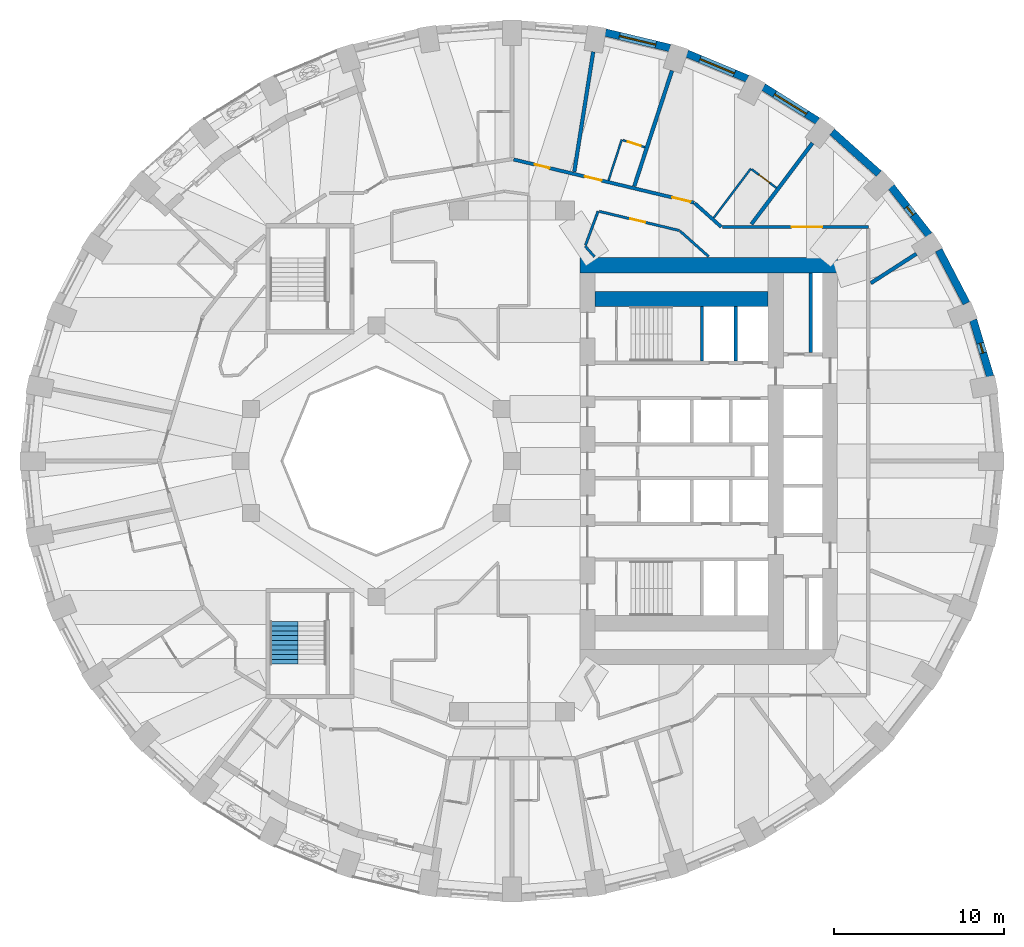
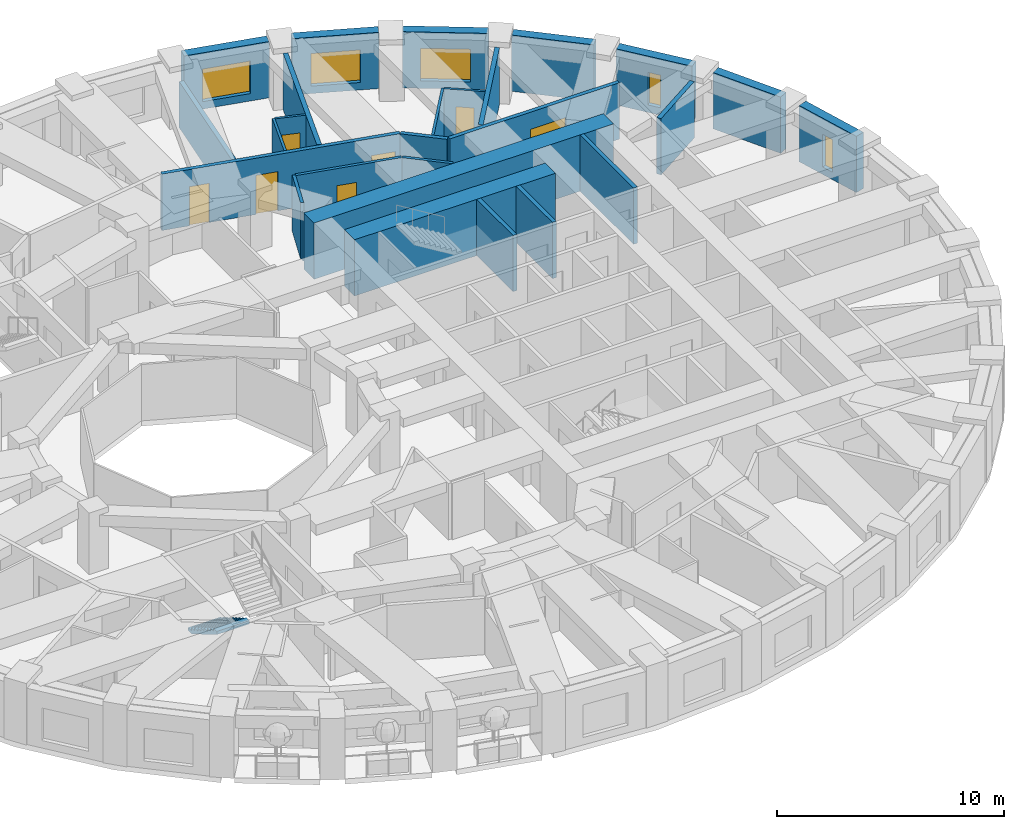
# One storey, part 9 of 13: 27 walls, 7 doors, 5 windows, 1 stair flight, 12 openings, 1 element without a shape of its own.
"""IFC4 building model written with IfcOpenShell, lengths in metres."""

from ifc_helpers import new_model, si_unit, direction, frame, frame_2d, origin, place, context, subcontext, project, spatial, polyline, rectangle, outline, extrude, material, layer, layer_set, type_object, element, fill, aggregate, save


model = new_model("IFC4")

# Units and contexts
model_context = context("Model", 3, precision=1e-05, world=origin(), true_north=direction((0.0, 1.0)))
body_context = subcontext(model_context, "Body", "Model", "MODEL_VIEW")
ifc_project = project(units=[si_unit("LENGTHUNIT", "METRE"), si_unit("AREAUNIT", "SQUARE_METRE"), si_unit("VOLUMEUNIT", "CUBIC_METRE"), si_unit("PLANEANGLEUNIT", "RADIAN"), si_unit("MASSUNIT", "GRAM", prefix="KILO")], contexts=[model_context])

# Site, building, storey
site_placement = place(None, origin())
site = spatial("IfcSite", under=ifc_project, at=site_placement, CompositionType="ELEMENT")
building_placement = place(site_placement, origin())
building = spatial("IfcBuilding", under=site, at=building_placement, Name="Taillehof Tower", CompositionType="ELEMENT")
storey_placement = place(building_placement, frame((0.0, 0.0, 41.5)))
storey = spatial("IfcBuildingStorey", under=building, at=storey_placement, Name="L10", CompositionType="ELEMENT", Elevation=41.5)

# Wall, opening, window
ifc_material_1 = material(Name="Brick masonry", Category="masonry")
ifc_layer_1 = layer(ifc_material_1, 0.449951171875)
ifc_layer_set_1 = layer_set([ifc_layer_1], Name="Brick infill wall 450")
wall_type_1 = type_object("IfcWallType", Name="Brick infill wall 450", PredefinedType="SOLIDWALL", material=ifc_layer_set_1)
wall_1_placement = place(storey_placement, frame((28.181884765625, 4.995849609375, 0.0), z_axis=(0.0, 0.0, 1.0), x_axis=(-0.287064133733, 0.957911364963, 0.0)))
wall_1 = element("IfcWall", 1, at=wall_1_placement, inside=storey, type_object=wall_type_1, Name="Brick wall L10 bay 2", PredefinedType="SOLIDWALL", context=body_context, shape_type="SweptSolid", body=[
    extrude(rectangle(XDim=3.473388671875, YDim=0.449951171875, at=frame_2d((1.73681640625, 0.0))), origin(), (0.0, 0.0, 1.0), 3.02001953125),
])
opening_1_placement = place(wall_1_placement, frame((1.436767578125, 0.0, 0.39990234375)))
opening_1 = element("IfcOpeningElement", 2, at=opening_1_placement, cuts=wall_1, Name="Opening W6", PredefinedType="OPENING", context=body_context, shape_type="SweptSolid", body=[
    extrude(rectangle(XDim=0.60009765625, YDim=1.75, at=frame_2d((0.300048828125, 0.875))), frame((0.0, 0.23486328125, 0.0), z_axis=(0.0, -1.0, 0.0), x_axis=(1.0, 0.0, 0.0)), (0.0, 0.0, 1.0), 0.469970703125),
])
ifc_material_2 = material(Name="Aluminium window frame with clear double glazing", Category="aluminium")
window_type_1 = type_object("IfcWindowType", Name="Slot window 600x1750", PartitioningType="SINGLE_PANEL", PredefinedType="WINDOW", material=ifc_material_2)
window_1_placement = place(opening_1_placement, origin())
window_1 = element("IfcWindow", 3, at=window_1_placement, inside=storey, type_object=window_type_1, Name="W6", OverallHeight=1.75, OverallWidth=0.60009765625, PartitioningType="SINGLE_PANEL", PredefinedType="WINDOW", context=body_context, shape_type="SweptSolid", body=[
    extrude(rectangle(XDim=0.60009765625, YDim=1.75, at=frame_2d((0.300048828125, 0.875))), frame((0.0, 0.034912109375, 0.0), z_axis=(0.0, -1.0, 0.0), x_axis=(1.0, 0.0, 0.0)), (0.0, 0.0, 1.0), 0.06005859375),
])
fill(opening_1, window_1)

# Wall
wall_2_placement = place(storey_placement, frame((26.78564453125, 9.30517578125, 0.0), z_axis=(0.0, 0.0, 1.0), x_axis=(-0.462492775226, 0.886623050041, 0.0)))
element("IfcWall", 4, at=wall_2_placement, inside=storey, type_object=wall_type_1, Name="Brick wall L10 bay 3", PredefinedType="SOLIDWALL", context=body_context, shape_type="SweptSolid", body=[
    extrude(rectangle(XDim=3.531982421875, YDim=0.449951171875, at=frame_2d((1.76611328125, 0.0))), origin(), (0.0, 0.0, 1.0), 3.02001953125),
])

# Wall, opening, window
wall_3_placement = place(storey_placement, frame((24.57763671875, 13.327880859375, 0.0), z_axis=(0.0, 0.0, 1.0), x_axis=(-0.616661975264, 0.787228053529, 0.0)))
wall_3 = element("IfcWall", 5, at=wall_3_placement, inside=storey, type_object=wall_type_1, Name="Brick wall L10 bay 4", PredefinedType="SOLIDWALL", context=body_context, shape_type="SweptSolid", body=[
    extrude(rectangle(XDim=3.60986328125, YDim=0.449951171875, at=frame_2d((1.804931640625, 0.0))), origin(), (0.0, 0.0, 1.0), 3.02001953125),
])
opening_2_placement = place(wall_3_placement, frame((1.5048828125, 0.0, 0.39990234375)))
opening_2 = element("IfcOpeningElement", 6, at=opening_2_placement, cuts=wall_3, Name="Opening W6", PredefinedType="OPENING", context=body_context, shape_type="SweptSolid", body=[
    extrude(rectangle(XDim=0.60009765625, YDim=1.75, at=frame_2d((0.300048828125, 0.875))), frame((0.0, 0.23486328125, 0.0), z_axis=(0.0, -1.0, 0.0), x_axis=(1.0, 0.0, 0.0)), (0.0, 0.0, 1.0), 0.469970703125),
])
window_2_placement = place(opening_2_placement, origin())
window_2 = element("IfcWindow", 7, at=window_2_placement, inside=storey, type_object=window_type_1, Name="W6", OverallHeight=1.75, OverallWidth=0.60009765625, PartitioningType="SINGLE_PANEL", PredefinedType="WINDOW", context=body_context, shape_type="SweptSolid", body=[
    extrude(rectangle(XDim=0.60009765625, YDim=1.75, at=frame_2d((0.300048828125, 0.875))), frame((0.0, 0.034912109375, 0.0), z_axis=(0.0, -1.0, 0.0), x_axis=(1.0, 0.0, 0.0)), (0.0, 0.0, 1.0), 0.06005859375),
])
fill(opening_2, window_2)

# Wall
wall_4_placement = place(storey_placement, frame((21.626708984375, 16.943115234375, 0.0), z_axis=(0.0, 0.0, 1.0), x_axis=(-0.745526233716, 0.66647628228, 0.0)))
element("IfcWall", 8, at=wall_4_placement, inside=storey, type_object=wall_type_1, Name="Brick wall L10 bay 5", PredefinedType="SOLIDWALL", context=body_context, shape_type="SweptSolid", body=[
    extrude(rectangle(XDim=3.69677734375, YDim=0.449951171875, at=frame_2d((1.848388671875, 0.0))), origin(), (0.0, 0.0, 1.0), 3.02001953125),
])

# Wall, opening, window
wall_5_placement = place(storey_placement, frame((18.02294921875, 20.043701171875, 0.0), z_axis=(0.0, 0.0, 1.0), x_axis=(-0.847635480093, 0.530579016629, 0.0)))
wall_5 = element("IfcWall", 9, at=wall_5_placement, inside=storey, type_object=wall_type_1, Name="Brick wall L10 bay 6", PredefinedType="SOLIDWALL", context=body_context, shape_type="SweptSolid", body=[
    extrude(rectangle(XDim=3.782470703125, YDim=0.449951171875, at=frame_2d((1.89111328125, 0.0))), origin(), (0.0, 0.0, 1.0), 3.02001953125),
])
opening_3_placement = place(wall_5_placement, frame((0.791259765625, 0.0, 0.39990234375)))
opening_3 = element("IfcOpeningElement", 10, at=opening_3_placement, cuts=wall_5, Name="Opening W1", PredefinedType="OPENING", context=body_context, shape_type="SweptSolid", body=[
    extrude(rectangle(XDim=2.199951171875, YDim=1.75, at=frame_2d((1.10009765625, 0.875))), frame((0.0, 0.23486328125, 0.0), z_axis=(0.0, -1.0, 0.0), x_axis=(1.0, 0.0, 0.0)), (0.0, 0.0, 1.0), 0.469970703125),
])
ifc_material_3 = material(Name="Aluminium window frame with clear double glazing", Category="aluminium")
window_type_2 = type_object("IfcWindowType", Name="Deep-set window 2200x1750", PartitioningType="SINGLE_PANEL", PredefinedType="WINDOW", material=ifc_material_3)
window_3_placement = place(opening_3_placement, origin())
window_3 = element("IfcWindow", 11, at=window_3_placement, inside=storey, type_object=window_type_2, Name="W1", OverallHeight=1.75, OverallWidth=2.199951171875, PartitioningType="SINGLE_PANEL", PredefinedType="WINDOW", context=body_context, shape_type="SweptSolid", body=[
    extrude(rectangle(XDim=2.199951171875, YDim=1.75, at=frame_2d((1.10009765625, 0.875))), frame((0.0, 0.034912109375, 0.0), z_axis=(0.0, -1.0, 0.0), x_axis=(1.0, 0.0, 0.0)), (0.0, 0.0, 1.0), 0.06005859375),
])
fill(opening_3, window_3)

wall_6_placement = place(storey_placement, frame((13.875, 22.537353515625, 0.0), z_axis=(0.0, 0.0, 1.0), x_axis=(-0.923031964282, 0.384723267966, 0.0)))
wall_6 = element("IfcWall", 12, at=wall_6_placement, inside=storey, type_object=wall_type_1, Name="Brick wall L10 bay 7", PredefinedType="SOLIDWALL", context=body_context, shape_type="SweptSolid", body=[
    extrude(rectangle(XDim=3.8564453125, YDim=0.449951171875, at=frame_2d((1.92822265625, 0.0))), origin(), (0.0, 0.0, 1.0), 3.02001953125),
])
opening_4_placement = place(wall_6_placement, frame((0.828125, 0.0, 0.39990234375)))
opening_4 = element("IfcOpeningElement", 13, at=opening_4_placement, cuts=wall_6, Name="Opening W1", PredefinedType="OPENING", context=body_context, shape_type="SweptSolid", body=[
    extrude(rectangle(XDim=2.199951171875, YDim=1.75, at=frame_2d((1.10009765625, 0.875))), frame((0.0, 0.23486328125, 0.0), z_axis=(0.0, -1.0, 0.0), x_axis=(1.0, 0.0, 0.0)), (0.0, 0.0, 1.0), 0.469970703125),
])
window_4_placement = place(opening_4_placement, origin())
window_4 = element("IfcWindow", 14, at=window_4_placement, inside=storey, type_object=window_type_2, Name="W1", OverallHeight=1.75, OverallWidth=2.199951171875, PartitioningType="SINGLE_PANEL", PredefinedType="WINDOW", context=body_context, shape_type="SweptSolid", body=[
    extrude(rectangle(XDim=2.199951171875, YDim=1.75, at=frame_2d((1.10009765625, 0.875))), frame((0.0, 0.034912109375, 0.0), z_axis=(0.0, -1.0, 0.0), x_axis=(1.0, 0.0, 0.0)), (0.0, 0.0, 1.0), 0.06005859375),
])
fill(opening_4, window_4)

wall_7_placement = place(storey_placement, frame((9.3076171875, 24.349609375, 0.0), z_axis=(0.0, 0.0, 1.0), x_axis=(-0.972496561493, 0.232917233979, 0.0)))
wall_7 = element("IfcWall", 15, at=wall_7_placement, inside=storey, type_object=wall_type_1, Name="Brick wall L10 bay 8", PredefinedType="SOLIDWALL", context=body_context, shape_type="SweptSolid", body=[
    extrude(rectangle(XDim=3.910888671875, YDim=0.449951171875, at=frame_2d((1.95556640625, 0.0))), origin(), (0.0, 0.0, 1.0), 3.02001953125),
])
opening_5_placement = place(wall_7_placement, frame((0.855224609375, 0.0, 0.39990234375)))
opening_5 = element("IfcOpeningElement", 16, at=opening_5_placement, cuts=wall_7, Name="Opening W1", PredefinedType="OPENING", context=body_context, shape_type="SweptSolid", body=[
    extrude(rectangle(XDim=2.199951171875, YDim=1.75, at=frame_2d((1.10009765625, 0.875))), frame((0.0, 0.23486328125, 0.0), z_axis=(0.0, -1.0, 0.0), x_axis=(1.0, 0.0, 0.0)), (0.0, 0.0, 1.0), 0.469970703125),
])
window_5_placement = place(opening_5_placement, origin())
window_5 = element("IfcWindow", 17, at=window_5_placement, inside=storey, type_object=window_type_2, Name="W1", OverallHeight=1.75, OverallWidth=2.199951171875, PartitioningType="SINGLE_PANEL", PredefinedType="WINDOW", context=body_context, shape_type="SweptSolid", body=[
    extrude(rectangle(XDim=2.199951171875, YDim=1.75, at=frame_2d((1.10009765625, 0.875))), frame((0.0, 0.034912109375, 0.0), z_axis=(0.0, -1.0, 0.0), x_axis=(1.0, 0.0, 0.0)), (0.0, 0.0, 1.0), 0.06005859375),
])
fill(opening_5, window_5)

# Wall
ifc_material_4 = material(Name="Calcium silicate masonry", Category="masonry")
ifc_layer_2 = layer(ifc_material_4, 0.199951171875)
ifc_layer_set_2 = layer_set([ifc_layer_2], Name="Compartment wall calcium silicate 200")
wall_type_2 = type_object("IfcWallType", Name="Compartment wall calcium silicate 200", PredefinedType="PARTITIONING", material=ifc_layer_set_2)
wall_8_placement = place(storey_placement, frame((17.60009765625, 6.39990234375, 0.0), z_axis=(0.0, 0.0, 1.0), x_axis=(0.0, 1.0, 0.0)))
element("IfcWall", 18, at=wall_8_placement, inside=storey, type_object=wall_type_2, Name="Compartment wall FW", PredefinedType="PARTITIONING", context=body_context, shape_type="SweptSolid", body=[
    extrude(rectangle(XDim=4.7001953125, YDim=0.199951171875, at=frame_2d((2.35009765625, 0.0))), origin(), (0.0, 0.0, 1.0), 3.02001953125),
])

# Wall, openings, doors
ifc_material_5 = material(Name="Gypsum board on steel studs, two layers each side", Category="steel")
ifc_layer_3 = layer(ifc_material_5, 0.199951171875)
ifc_layer_set_3 = layer_set([ifc_layer_3], Name="Compartment wall corridor 200")
wall_type_3 = type_object("IfcWallType", Name="Compartment wall corridor 200", PredefinedType="PARTITIONING", material=ifc_layer_set_3)
wall_9_placement = place(storey_placement, frame((0.09765625, 17.77685546875, 0.0), z_axis=(0.0, 0.0, 1.0), x_axis=(0.97258196627, -0.232560355362, 0.0)))
wall_9 = element("IfcWall", 19, at=wall_9_placement, inside=storey, type_object=wall_type_3, Name="Compartment wall", PredefinedType="PARTITIONING", context=body_context, shape_type="SweptSolid", body=[
    extrude(rectangle(XDim=10.9326171875, YDim=0.199951171875, at=frame_2d((5.46630859375, 0.0))), origin(), (0.0, 0.0, 1.0), 3.02001953125),
])
opening_6_placement = place(wall_9_placement, frame((9.612548828125, 0.0, 0.0)))
opening_6 = element("IfcOpeningElement", 20, at=opening_6_placement, cuts=wall_9, Name="Opening D1040", PredefinedType="OPENING", context=body_context, shape_type="SweptSolid", body=[
    extrude(rectangle(XDim=1.10009765625, YDim=2.10009765625, at=frame_2d((0.550048828125, 1.050048828125))), frame((0.0, 0.10986328125, 0.0), z_axis=(0.0, -1.0, 0.0), x_axis=(1.0, 0.0, 0.0)), (0.0, 0.0, 1.0), 0.219970703125),
])
opening_7_placement = place(wall_9_placement, frame((4.32470703125, 0.0, 0.0)))
opening_7 = element("IfcOpeningElement", 21, at=opening_7_placement, cuts=wall_9, Name="Opening D1042", PredefinedType="OPENING", context=body_context, shape_type="SweptSolid", body=[
    extrude(rectangle(XDim=1.0, YDim=2.10009765625, at=frame_2d((0.5, 1.050048828125))), frame((0.0, 0.10986328125, 0.0), z_axis=(0.0, -1.0, 0.0), x_axis=(1.0, 0.0, 0.0)), (0.0, 0.0, 1.0), 0.219970703125),
])
opening_8_placement = place(wall_9_placement, frame((1.27587890625, 0.0, 0.0)))
opening_8 = element("IfcOpeningElement", 22, at=opening_8_placement, cuts=wall_9, Name="Opening D1044", PredefinedType="OPENING", context=body_context, shape_type="SweptSolid", body=[
    extrude(rectangle(XDim=0.89990234375, YDim=2.10009765625, at=frame_2d((0.449951171875, 1.050048828125))), frame((0.0, 0.10986328125, 0.0), z_axis=(0.0, -1.0, 0.0), x_axis=(1.0, 0.0, 0.0)), (0.0, 0.0, 1.0), 0.219970703125),
])
ifc_material_6 = material(Name="Timber door leaf in steel frame", Category="steel")
door_type_1 = type_object("IfcDoorType", Name="Guest room door EI 30 1000 x 2100", OperationType="SINGLE_SWING_LEFT", PredefinedType="DOOR", material=ifc_material_6)
door_1_placement = place(opening_7_placement, origin())
door_1 = element("IfcDoor", 23, at=door_1_placement, inside=storey, type_object=door_type_1, Name="D1042", OperationType="SINGLE_SWING_RIGHT", OverallHeight=2.10009765625, OverallWidth=1.0, PredefinedType="DOOR", context=body_context, shape_type="SweptSolid", body=[
    extrude(rectangle(XDim=1.0, YDim=2.10009765625, at=frame_2d((0.5, 1.050048828125))), frame((0.0, 0.02490234375, 0.0), z_axis=(0.0, -1.0, 0.0), x_axis=(1.0, 0.0, 0.0)), (0.0, 0.0, 1.0), 0.050048828125),
])
fill(opening_7, door_1)
ifc_material_7 = material(Name="Timber door leaf in steel frame", Category="steel")
door_type_2 = type_object("IfcDoorType", Name="Service room door EI 30 900 x 2100", OperationType="SINGLE_SWING_LEFT", PredefinedType="DOOR", material=ifc_material_7)
door_2_placement = place(opening_8_placement, origin())
door_2 = element("IfcDoor", 24, at=door_2_placement, inside=storey, type_object=door_type_2, Name="D1044", OperationType="SINGLE_SWING_LEFT", OverallHeight=2.10009765625, OverallWidth=0.89990234375, PredefinedType="DOOR", context=body_context, shape_type="SweptSolid", body=[
    extrude(rectangle(XDim=0.89990234375, YDim=2.10009765625, at=frame_2d((0.449951171875, 1.050048828125))), frame((0.0, 0.02490234375, 0.0), z_axis=(0.0, -1.0, 0.0), x_axis=(1.0, 0.0, 0.0)), (0.0, 0.0, 1.0), 0.050048828125),
])
fill(opening_8, door_2)
ifc_material_8 = material(Name="Timber door leaf in steel frame", Category="steel")
door_type_3 = type_object("IfcDoorType", Name="Suite entrance door EI 30 1100 x 2100", OperationType="SINGLE_SWING_LEFT", PredefinedType="DOOR", material=ifc_material_8)
door_3_placement = place(opening_6_placement, origin())
door_3 = element("IfcDoor", 25, at=door_3_placement, inside=storey, type_object=door_type_3, Name="D1040", OperationType="SINGLE_SWING_LEFT", OverallHeight=2.10009765625, OverallWidth=1.10009765625, PredefinedType="DOOR", context=body_context, shape_type="SweptSolid", body=[
    extrude(rectangle(XDim=1.10009765625, YDim=2.10009765625, at=frame_2d((0.550048828125, 1.050048828125))), frame((0.0, 0.02490234375, 0.0), z_axis=(0.0, -1.0, 0.0), x_axis=(1.0, 0.0, 0.0)), (0.0, 0.0, 1.0), 0.050048828125),
])
fill(opening_6, door_3)

# Wall
wall_10_placement = place(storey_placement, frame((10.76025390625, 15.2080078125, 0.0), z_axis=(0.0, 0.0, 1.0), x_axis=(0.746600460158, -0.665272690626, 0.0)))
element("IfcWall", 26, at=wall_10_placement, inside=storey, type_object=wall_type_3, Name="Compartment wall", PredefinedType="PARTITIONING", context=body_context, shape_type="SweptSolid", body=[
    extrude(rectangle(XDim=2.116455078125, YDim=0.199951171875, at=frame_2d((1.05810546875, 0.0))), origin(), (0.0, 0.0, 1.0), 3.02001953125),
])

# Wall, opening, door
wall_11_placement = place(storey_placement, frame((12.400390625, 13.800048828125, 0.0), z_axis=(0.0, 0.0, 1.0), x_axis=(1.0, 0.0, 0.0)))
wall_11 = element("IfcWall", 27, at=wall_11_placement, inside=storey, type_object=wall_type_3, Name="Compartment wall", PredefinedType="PARTITIONING", context=body_context, shape_type="SweptSolid", body=[
    extrude(rectangle(XDim=8.599609375, YDim=0.199951171875, at=frame_2d((4.2998046875, 0.0))), origin(), (0.0, 0.0, 1.0), 3.02001953125),
])
opening_9_placement = place(wall_11_placement, frame((4.083984375, 0.0, 0.0)))
opening_9 = element("IfcOpeningElement", 28, at=opening_9_placement, cuts=wall_11, Name="Opening D1069", PredefinedType="OPENING", context=body_context, shape_type="SweptSolid", body=[
    extrude(rectangle(XDim=1.800048828125, YDim=2.10009765625, at=frame_2d((0.89990234375, 1.050048828125))), frame((0.0, 0.10986328125, 0.0), z_axis=(0.0, -1.0, 0.0), x_axis=(1.0, 0.0, 0.0)), (0.0, 0.0, 1.0), 0.219970703125),
])
ifc_material_9 = material(Name="Timber door leaf in steel frame", Category="steel")
door_type_4 = type_object("IfcDoorType", Name="Lounge and meeting room double door EI 30 1800 x 2100", OperationType="SINGLE_SWING_LEFT", PredefinedType="DOOR", material=ifc_material_9)
door_4_placement = place(opening_9_placement, origin())
door_4 = element("IfcDoor", 29, at=door_4_placement, inside=storey, type_object=door_type_4, Name="D1069", OperationType="DOUBLE_DOOR_SINGLE_SWING", OverallHeight=2.10009765625, OverallWidth=1.800048828125, PredefinedType="DOOR", context=body_context, shape_type="SweptSolid", body=[
    extrude(rectangle(XDim=1.800048828125, YDim=2.10009765625, at=frame_2d((0.89990234375, 1.050048828125))), frame((0.0, 0.02490234375, 0.0), z_axis=(0.0, -1.0, 0.0), x_axis=(1.0, 0.0, 0.0)), (0.0, 0.0, 1.0), 0.050048828125),
])
fill(opening_9, door_4)

# Walls
ifc_material_10 = material(Name="Gypsum board on double steel studs with mineral wool", Category="steel")
ifc_layer_4 = layer(ifc_material_10, 0.219970703125)
ifc_layer_set_4 = layer_set([ifc_layer_4], Name="Compartment wall guest room 220")
wall_type_4 = type_object("IfcWallType", Name="Compartment wall guest room 220", PredefinedType="PARTITIONING", material=ifc_layer_set_4)
wall_12_placement = place(storey_placement, frame((23.834716796875, 12.218994140625, 0.0), z_axis=(0.0, 0.0, 1.0), x_axis=(-0.840711059677, -0.541483992503, 0.0)))
element("IfcWall", 30, at=wall_12_placement, inside=storey, type_object=wall_type_4, Name="Compartment wall", PredefinedType="PARTITIONING", context=body_context, shape_type="SweptSolid", body=[
    extrude(rectangle(XDim=3.192626953125, YDim=0.219970703125, at=frame_2d((1.59619140625, 0.0))), origin(), (0.0, 0.0, 1.0), 3.02001953125),
])
wall_13_placement = place(storey_placement, frame((17.707763671875, 18.7431640625, 0.0), z_axis=(0.0, 0.0, 1.0), x_axis=(-0.601181461694, -0.799112539081, 0.0)))
element("IfcWall", 31, at=wall_13_placement, inside=storey, type_object=wall_type_4, Name="Compartment wall", PredefinedType="PARTITIONING", context=body_context, shape_type="SweptSolid", body=[
    extrude(rectangle(XDim=5.98095703125, YDim=0.219970703125, at=frame_2d((2.990478515625, 0.0))), origin(), (0.0, 0.0, 1.0), 3.02001953125),
])
wall_14_placement = place(storey_placement, frame((9.429443359375, 23.01416015625, 0.0), z_axis=(0.0, 0.0, 1.0), x_axis=(-0.310212691368, -0.950667179466, 0.0)))
element("IfcWall", 32, at=wall_14_placement, inside=storey, type_object=wall_type_4, Name="Compartment wall", PredefinedType="PARTITIONING", context=body_context, shape_type="SweptSolid", body=[
    extrude(rectangle(XDim=7.167236328125, YDim=0.219970703125, at=frame_2d((3.58349609375, 0.0))), origin(), (0.0, 0.0, 1.0), 3.02001953125),
])
wall_15_placement = place(storey_placement, frame((4.788330078125, 24.12548828125, 0.0), z_axis=(0.0, 0.0, 1.0), x_axis=(-0.156146236489, -0.987733948404, 0.0)))
element("IfcWall", 33, at=wall_15_placement, inside=storey, type_object=wall_type_4, Name="Compartment wall", PredefinedType="PARTITIONING", context=body_context, shape_type="SweptSolid", body=[
    extrude(rectangle(XDim=7.167236328125, YDim=0.219970703125, at=frame_2d((3.58349609375, 0.0))), origin(), (0.0, 0.0, 1.0), 2.469970703125),
])
ifc_material_11 = material(Name="Gypsum board on steel studs, two layers each side", Category="steel")
ifc_layer_5 = layer(ifc_material_11, 0.14990234375)
ifc_layer_set_5 = layer_set([ifc_layer_5], Name="Compartment wall service room 150")
wall_type_5 = type_object("IfcWallType", Name="Compartment wall service room 150", PredefinedType="PARTITIONING", material=ifc_layer_set_5)
wall_16_placement = place(storey_placement, frame((4.864501953125, 12.04150390625, 0.0), z_axis=(0.0, 0.0, 1.0), x_axis=(-0.660014599896, 0.751252772323, 0.0)))
element("IfcWall", 34, at=wall_16_placement, inside=storey, type_object=wall_type_5, Name="Compartment wall", PredefinedType="PARTITIONING", context=body_context, shape_type="SweptSolid", body=[
    extrude(rectangle(XDim=0.8349609375, YDim=0.14990234375, at=frame_2d((0.41748046875, 0.0))), origin(), (0.0, 0.0, 1.0), 2.570068359375),
])
wall_17_placement = place(storey_placement, frame((4.333984375, 12.72509765625, 0.0), z_axis=(0.0, 0.0, 1.0), x_axis=(0.346111853175, 0.938193255727, 0.0)))
element("IfcWall", 35, at=wall_17_placement, inside=storey, type_object=wall_type_5, Name="Compartment wall", PredefinedType="PARTITIONING", context=body_context, shape_type="SweptSolid", body=[
    extrude(rectangle(XDim=2.14306640625, YDim=0.14990234375, at=frame_2d((1.071533203125, 0.0))), origin(), (0.0, 0.0, 1.0), 3.02001953125),
])

# Wall, opening, door
wall_18_placement = place(storey_placement, frame((5.15380859375, 14.717041015625, 0.0), z_axis=(0.0, 0.0, 1.0), x_axis=(0.972587058657, -0.232539057651, 0.0)))
wall_18 = element("IfcWall", 36, at=wall_18_placement, inside=storey, type_object=wall_type_5, Name="Compartment wall", PredefinedType="PARTITIONING", context=body_context, shape_type="SweptSolid", body=[
    extrude(rectangle(XDim=4.8505859375, YDim=0.14990234375, at=frame_2d((2.42529296875, 0.0))), origin(), (0.0, 0.0, 1.0), 3.02001953125),
])
opening_10_placement = place(wall_18_placement, frame((1.8720703125, 0.0, 0.0)))
opening_10 = element("IfcOpeningElement", 37, at=opening_10_placement, cuts=wall_18, Name="Opening D1071", PredefinedType="OPENING", context=body_context, shape_type="SweptSolid", body=[
    extrude(rectangle(XDim=0.89990234375, YDim=2.10009765625, at=frame_2d((0.449951171875, 1.050048828125))), frame((0.0, 0.0849609375, 0.0), z_axis=(0.0, -1.0, 0.0), x_axis=(1.0, 0.0, 0.0)), (0.0, 0.0, 1.0), 0.169921875),
])
door_5_placement = place(opening_10_placement, origin())
door_5 = element("IfcDoor", 38, at=door_5_placement, inside=storey, type_object=door_type_2, Name="D1071", OperationType="SINGLE_SWING_RIGHT", OverallHeight=2.10009765625, OverallWidth=0.89990234375, PredefinedType="DOOR", context=body_context, shape_type="SweptSolid", body=[
    extrude(rectangle(XDim=0.89990234375, YDim=2.10009765625, at=frame_2d((0.449951171875, 1.050048828125))), frame((0.0, 0.02490234375, 0.0), z_axis=(0.0, -1.0, 0.0), x_axis=(1.0, 0.0, 0.0)), (0.0, 0.0, 1.0), 0.050048828125),
])
fill(opening_10, door_5)

# Walls
wall_19_placement = place(storey_placement, frame((9.901123046875, 13.562255859375, 0.0), z_axis=(0.0, 0.0, 1.0), x_axis=(0.746696753395, -0.665164610054, 0.0)))
element("IfcWall", 39, at=wall_19_placement, inside=storey, type_object=wall_type_5, Name="Compartment wall", PredefinedType="PARTITIONING", context=body_context, shape_type="SweptSolid", body=[
    extrude(rectangle(XDim=2.269775390625, YDim=0.14990234375, at=frame_2d((1.134765625, 0.0))), origin(), (0.0, 0.0, 1.0), 3.02001953125),
])
ifc_material_12 = material(Name="Concrete C80/95", Category="concrete")
ifc_layer_6 = layer(ifc_material_12, 0.89990234375)
ifc_layer_set_6 = layer_set([ifc_layer_6], Name="Core wall C80/95 900")
wall_type_6 = type_object("IfcWallType", Name="Core wall C80/95 900", PredefinedType="SHEAR", material=ifc_layer_set_6)
wall_20_placement = place(storey_placement, frame((4.0, 11.550048828125, 0.0), z_axis=(0.0, 0.0, 1.0), x_axis=(1.0, 0.0, 0.0)))
element("IfcWall", 40, at=wall_20_placement, inside=storey, type_object=wall_type_6, Name="Core wall CW03", PredefinedType="SHEAR", context=body_context, shape_type="SweptSolid", body=[
    extrude(rectangle(XDim=15.199951171875, YDim=0.89990234375, at=frame_2d((7.60009765625, 0.0))), origin(), (0.0, 0.0, 1.0), 3.02001953125),
])
wall_21_placement = place(storey_placement, frame((4.89990234375, 9.550048828125, 0.0), z_axis=(0.0, 0.0, 1.0), x_axis=(1.0, 0.0, 0.0)))
element("IfcWall", 41, at=wall_21_placement, inside=storey, type_object=wall_type_6, Name="Core wall CW06", PredefinedType="SHEAR", context=body_context, shape_type="SweptSolid", body=[
    extrude(rectangle(XDim=10.2001953125, YDim=0.89990234375, at=frame_2d((5.10009765625, 0.0))), origin(), (0.0, 0.0, 1.0), 3.02001953125),
])
ifc_material_13 = material(Name="Gypsum board on steel studs, moisture resistant", Category="steel")
ifc_layer_7 = layer(ifc_material_13, 0.1201171875)
ifc_layer_set_7 = layer_set([ifc_layer_7], Name="En-suite wall 120")
wall_type_7 = type_object("IfcWallType", Name="En-suite wall 120", PredefinedType="PARTITIONING", material=ifc_layer_set_7)
wall_22_placement = place(storey_placement, frame((11.889404296875, 14.335693359375, 0.0), z_axis=(0.0, 0.0, 1.0), x_axis=(0.601160173805, 0.799128553758, 0.0)))
element("IfcWall", 42, at=wall_22_placement, inside=storey, type_object=wall_type_7, Name="En-suite wall", PredefinedType="PARTITIONING", context=body_context, shape_type="SweptSolid", body=[
    extrude(rectangle(XDim=3.63427734375, YDim=0.1201171875, at=frame_2d((1.817138671875, 0.0))), origin(), (0.0, 0.0, 1.0), 3.02001953125),
])
wall_23_placement = place(storey_placement, frame((5.687255859375, 16.54296875, 0.0), z_axis=(0.0, 0.0, 1.0), x_axis=(0.310246659943, 0.950656094492, 0.0)))
element("IfcWall", 43, at=wall_23_placement, inside=storey, type_object=wall_type_7, Name="En-suite wall", PredefinedType="PARTITIONING", context=body_context, shape_type="SweptSolid", body=[
    extrude(rectangle(XDim=2.525146484375, YDim=0.1201171875, at=frame_2d((1.2626953125, 0.0))), origin(), (0.0, 0.0, 1.0), 3.02001953125),
])

# Wall, opening, door
wall_24_placement = place(storey_placement, frame((14.1220703125, 17.203857421875, 0.0), z_axis=(0.0, 0.0, 1.0), x_axis=(0.799134663307, -0.601152052231, 0.0)))
wall_24 = element("IfcWall", 44, at=wall_24_placement, inside=storey, type_object=wall_type_7, Name="En-suite wall", PredefinedType="PARTITIONING", context=body_context, shape_type="SweptSolid", body=[
    extrude(rectangle(XDim=1.830078125, YDim=0.1201171875, at=frame_2d((0.9150390625, 0.0))), origin(), (0.0, 0.0, 1.0), 3.02001953125),
])
opening_11_placement = place(wall_24_placement, frame((0.5400390625, 0.0, 0.0)))
opening_11 = element("IfcOpeningElement", 45, at=opening_11_placement, cuts=wall_24, Name="Opening D1041", PredefinedType="OPENING", context=body_context, shape_type="SweptSolid", body=[
    extrude(rectangle(XDim=0.800048828125, YDim=2.10009765625, at=frame_2d((0.39990234375, 1.050048828125))), frame((0.0, 0.070068359375, 0.0), z_axis=(0.0, -1.0, 0.0), x_axis=(1.0, 0.0, 0.0)), (0.0, 0.0, 1.0), 0.14013671875),
])
ifc_material_14 = material(Name="Timber door leaf in steel frame", Category="steel")
door_type_5 = type_object("IfcDoorType", Name="En-suite door 800 x 2100", OperationType="SINGLE_SWING_LEFT", PredefinedType="DOOR", material=ifc_material_14)
door_6_placement = place(opening_11_placement, origin())
door_6 = element("IfcDoor", 46, at=door_6_placement, inside=storey, type_object=door_type_5, Name="D1041", OperationType="SINGLE_SWING_RIGHT", OverallHeight=2.10009765625, OverallWidth=0.800048828125, PredefinedType="DOOR", context=body_context, shape_type="SweptSolid", body=[
    extrude(rectangle(XDim=0.800048828125, YDim=2.10009765625, at=frame_2d((0.39990234375, 1.050048828125))), frame((0.0, 0.02490234375, 0.0), z_axis=(0.0, -1.0, 0.0), x_axis=(1.0, 0.0, 0.0)), (0.0, 0.0, 1.0), 0.050048828125),
])
fill(opening_11, door_6)

wall_25_placement = place(storey_placement, frame((6.52783203125, 18.925048828125, 0.0), z_axis=(0.0, 0.0, 1.0), x_axis=(0.950628893115, -0.310329997864, 0.0)))
wall_25 = element("IfcWall", 47, at=wall_25_placement, inside=storey, type_object=wall_type_7, Name="En-suite wall", PredefinedType="PARTITIONING", context=body_context, shape_type="SweptSolid", body=[
    extrude(rectangle(XDim=1.3798828125, YDim=0.1201171875, at=frame_2d((0.68994140625, 0.0))), origin(), (0.0, 0.0, 1.0), 3.02001953125),
])
opening_12_placement = place(wall_25_placement, frame((0.31494140625, 0.0, 0.0)))
opening_12 = element("IfcOpeningElement", 48, at=opening_12_placement, cuts=wall_25, Name="Opening D1043", PredefinedType="OPENING", context=body_context, shape_type="SweptSolid", body=[
    extrude(rectangle(XDim=0.800048828125, YDim=2.10009765625, at=frame_2d((0.39990234375, 1.050048828125))), frame((0.0, 0.070068359375, 0.0), z_axis=(0.0, -1.0, 0.0), x_axis=(1.0, 0.0, 0.0)), (0.0, 0.0, 1.0), 0.14013671875),
])
door_7_placement = place(opening_12_placement, origin())
door_7 = element("IfcDoor", 49, at=door_7_placement, inside=storey, type_object=door_type_5, Name="D1043", OperationType="SINGLE_SWING_RIGHT", OverallHeight=2.10009765625, OverallWidth=0.800048828125, PredefinedType="DOOR", context=body_context, shape_type="SweptSolid", body=[
    extrude(rectangle(XDim=0.800048828125, YDim=2.10009765625, at=frame_2d((0.39990234375, 1.050048828125))), frame((0.0, 0.02490234375, 0.0), z_axis=(0.0, -1.0, 0.0), x_axis=(1.0, 0.0, 0.0)), (0.0, 0.0, 1.0), 0.050048828125),
])
fill(opening_12, door_7)

# Walls
ifc_material_15 = material(Name="Concrete C50/60", Category="concrete")
ifc_layer_8 = layer(ifc_material_15, 0.199951171875)
ifc_layer_set_8 = layer_set([ifc_layer_8], Name="Shaft wall C50/60 200")
wall_type_8 = type_object("IfcWallType", Name="Shaft wall C50/60 200", PredefinedType="SHEAR", material=ifc_layer_set_8)
for number, where, z_axis, x_axis, name in (
    (50, (11.199951171875, 5.89990234375, 0.0), (0.0, 0.0, 1.0), (0.0, 1.0, 0.0), "Shaft wall SW"),
    (51, (13.199951171875, 5.89990234375, 0.0), (0.0, 0.0, 1.0), (0.0, 1.0, 0.0), "Shaft wall SW"),
):
    element("IfcWall", number, at=place(storey_placement, frame(where, z_axis=z_axis, x_axis=x_axis)), inside=storey, type_object=wall_type_8, Name=name, PredefinedType="SHEAR", context=body_context, shape_type="SweptSolid", body=[
        extrude(rectangle(XDim=3.2001953125, YDim=0.199951171875, at=frame_2d((1.60009765625, 0.0))), origin(), (0.0, 0.0, 1.0), 3.02001953125),
    ])

# Stair, stair flight
ifc_material_16 = material(Name="Concrete C40/50", Category="concrete")
stair_type = type_object("IfcStairType", Name="Exit stair half-turn", PredefinedType="HALF_TURN_STAIR", material=ifc_material_16)
stair_placement = place(storey_placement, origin())
stair = element("IfcStair", 52, at=stair_placement, inside=storey, type_object=stair_type, Name="Exit stair S4", PredefinedType="HALF_TURN_STAIR")
ifc_material_17 = material(Name="Concrete C40/50", Category="concrete")
stair_flight_type = type_object("IfcStairFlightType", Name="Stair flight 1650 riser 165.0 going 280", PredefinedType="STRAIGHT", material=ifc_material_17)
stair_flight_placement = place(storey_placement, frame((-13.425048828125, -9.449951171875, 0.0), z_axis=(0.0, 0.0, 1.0), x_axis=(0.0, -1.0, 0.0)))
stair_flight = element("IfcStairFlight", 53, at=stair_flight_placement, type_object=stair_flight_type, Name="S4 flight 1", NumberOfRisers=10, NumberOfTreads=9, PredefinedType="STRAIGHT", RiserHeight=0.165, TreadLength=0.28, context=body_context, shape_type="SweptSolid", body=[
    extrude(outline(polyline([(0.0, 0.0), (0.0, 0.00537109375), (0.0, 0.0107421875), (0.0, 0.015869140625), (0.0, 0.021240234375), (0.0, 0.026611328125), (0.0, 0.031982421875), (0.0, 0.037353515625), (0.0, 0.04248046875), (0.0, 0.0478515625), (0.0, 0.05322265625), (0.0, 0.05859375), (0.0, 0.06396484375), (0.0, 0.069091796875), (0.0, 0.074462890625), (0.0, 0.079833984375), (0.0, 0.085205078125), (0.0, 0.090576171875), (0.0, 0.095703125), (0.0, 0.10107421875), (0.0, 0.1064453125), (0.0, 0.11181640625), (0.0, 0.1171875), (0.0, 0.122314453125), (0.0, 0.127685546875), (0.0, 0.133056640625), (0.0, 0.138427734375), (0.0, 0.143798828125), (0.0, 0.14892578125), (0.0, 0.154296875), (0.0, 0.15966796875), (0.0, 0.1650390625), (0.280029296875, 0.1650390625), (0.280029296875, 0.330078125), (0.56005859375, 0.330078125), (0.56005859375, 0.4951171875), (0.840087890625, 0.4951171875), (0.840087890625, 0.659912109375), (1.1201171875, 0.659912109375), (1.1201171875, 0.824951171875), (1.39990234375, 0.824951171875), (1.39990234375, 0.989990234375), (1.679931640625, 0.989990234375), (1.679931640625, 1.155029296875), (1.9599609375, 1.155029296875), (1.9599609375, 1.320068359375), (2.239990234375, 1.320068359375), (2.239990234375, 1.485107421875), (2.52001953125, 1.485107421875), (2.52001953125, 1.4794921875), (2.52001953125, 1.473876953125), (2.52001953125, 1.46826171875), (2.52001953125, 1.462646484375), (2.52001953125, 1.45703125), (2.52001953125, 1.451416015625), (2.52001953125, 1.44580078125), (2.52001953125, 1.440185546875), (2.52001953125, 1.4345703125), (2.52001953125, 1.428955078125), (2.52001953125, 1.42333984375), (2.52001953125, 1.417724609375), (2.52001953125, 1.412109375), (2.52001953125, 1.406494140625), (2.52001953125, 1.40087890625), (2.52001953125, 1.395263671875), (2.52001953125, 1.3896484375), (2.52001953125, 1.384033203125), (2.52001953125, 1.37841796875), (2.52001953125, 1.372802734375), (2.52001953125, 1.3671875), (2.52001953125, 1.361572265625), (2.52001953125, 1.35595703125), (2.52001953125, 1.350341796875), (2.52001953125, 1.3447265625), (2.52001953125, 1.339111328125), (2.52001953125, 1.33349609375), (2.52001953125, 1.327880859375), (2.52001953125, 1.322265625), (2.52001953125, 1.316650390625), (2.52001953125, 1.31103515625), (0.295166015625, 0.0), (0.0, 0.0)])), frame((0.0, 0.824951171875, 0.0), z_axis=(0.0, -1.0, 0.0), x_axis=(1.0, 0.0, 0.0)), (0.0, 0.0, 1.0), 1.65),
])
aggregate(stair, [stair_flight])

save(model, "model.ifc")
